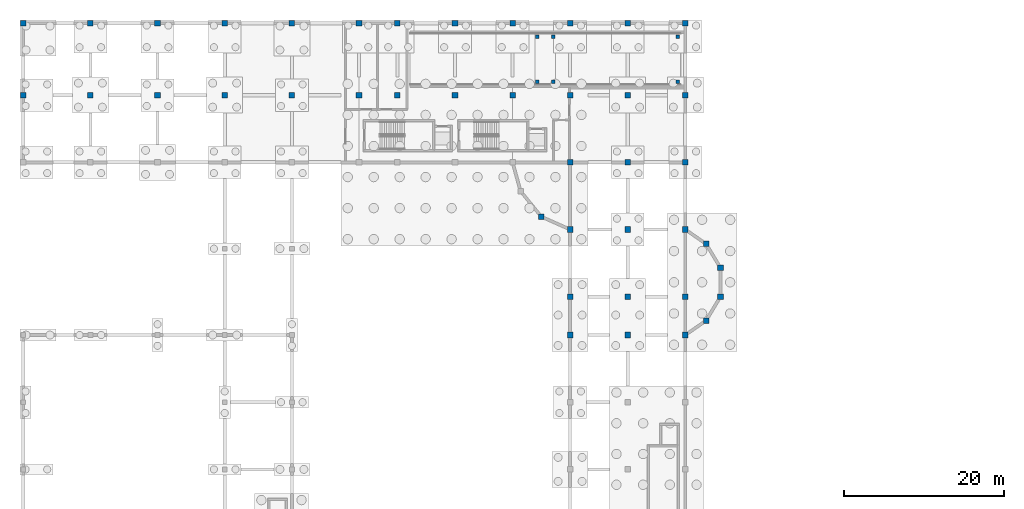
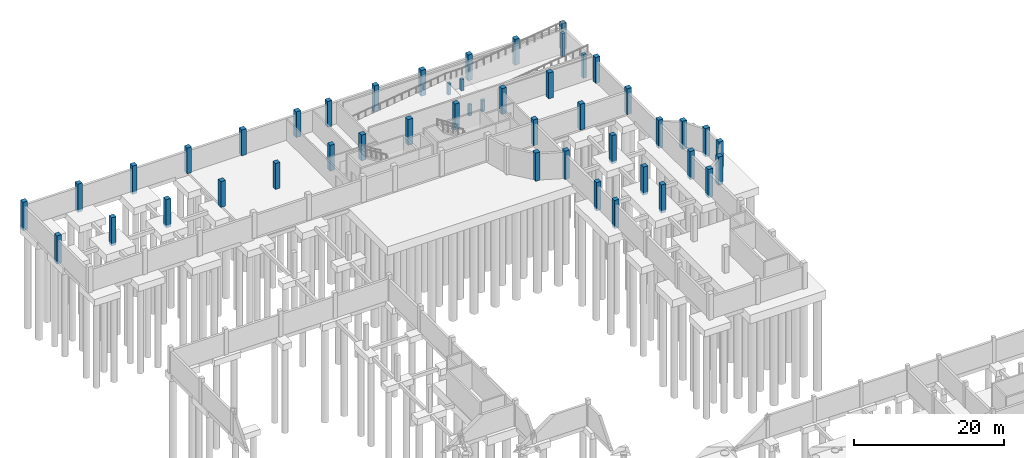
# One storey, part 12 of 22: 47 columns.
"""IFC4 building model written with IfcOpenShell, lengths in metres."""

from ifc_helpers import new_model, si_unit, direction, frame, origin, origin_2d, place, context, subcontext, project, spatial, rectangle, extrude, material, material_profile, profile_set, type_object, element, save


model = new_model("IFC4")

# Units and contexts
model_context = context("Model", 3, precision=1e-05, world=origin(), true_north=direction((0.0, 1.0)))
body_context = subcontext(model_context, "Body", "Model", "MODEL_VIEW")
ifc_project = project(units=[si_unit("LENGTHUNIT", "METRE"), si_unit("AREAUNIT", "SQUARE_METRE"), si_unit("VOLUMEUNIT", "CUBIC_METRE"), si_unit("PLANEANGLEUNIT", "RADIAN"), si_unit("MASSUNIT", "GRAM", prefix="KILO")], contexts=[model_context])

# Site, building, storey
site_placement = place(None, origin())
site = spatial("IfcSite", under=ifc_project, at=site_placement, CompositionType="ELEMENT")
building_placement = place(site_placement, origin())
building = spatial("IfcBuilding", under=site, at=building_placement, Name="Kahlenmark Community Centre", CompositionType="ELEMENT")
storey_placement = place(building_placement, frame((0.0, 0.0, -4.199951171875)))
storey = spatial("IfcBuildingStorey", under=building, at=storey_placement, Name="B1", CompositionType="ELEMENT", Elevation=-4.199951171875)

# Columns
ifc_material = material(Name="Concrete C35/45", Category="concrete")
ifc_material_profile_1 = material_profile(ifc_material, rectangle(XDim=0.449951171875, YDim=0.449951171875, at=origin_2d()), Name="RC 450x450")
ifc_profile_set_1 = profile_set([ifc_material_profile_1], Name="Concrete C35/45")
column_type_1 = type_object("IfcColumnType", Name="CT-PIER-RMP-RC450", PredefinedType="COLUMN", material=ifc_profile_set_1)
for number, where, z_axis, x_axis, name in (
    (1, (68.300048828125, 107.699951171875, 0.0), (0.0, 0.0, 1.0), (1.0, 0.0, 0.0), "Vehicle ramp landing pier 1"),
    (2, (68.300048828125, 113.300048828125, 0.0), (0.0, 0.0, 1.0), (1.0, 0.0, 0.0), "Vehicle ramp landing pier 2"),
    (3, (70.300048828125, 107.699951171875, 0.0), (0.0, 0.0, 1.0), (1.0, 0.0, 0.0), "Vehicle ramp landing pier 3"),
    (4, (70.300048828125, 113.300048828125, 0.0), (0.0, 0.0, 1.0), (1.0, 0.0, 0.0), "Vehicle ramp landing pier 4"),
):
    element("IfcColumn", number, at=place(storey_placement, frame(where, z_axis=z_axis, x_axis=x_axis)), inside=storey, type_object=column_type_1, Name=name, PredefinedType="COLUMN", context=body_context, shape_type="SweptSolid", body=[
        extrude(rectangle(XDim=0.449951171875, YDim=0.449951171875, at=origin_2d()), origin(), (0.0, 0.0, 1.0), 1.800048828125),
    ])
for number, where, z_axis, x_axis, name in (
    (5, (85.85009765625, 107.699951171875, 0.0), (0.0, 0.0, 1.0), (1.0, 0.0, 0.0), "Vehicle ramp landing pier 5"),
    (6, (85.85009765625, 113.300048828125, 0.0), (0.0, 0.0, 1.0), (1.0, 0.0, 0.0), "Vehicle ramp landing pier 6"),
):
    element("IfcColumn", number, at=place(storey_placement, frame(where, z_axis=z_axis, x_axis=x_axis)), inside=storey, type_object=column_type_1, Name=name, PredefinedType="COLUMN", context=body_context, shape_type="SweptSolid", body=[
        extrude(rectangle(XDim=0.449951171875, YDim=0.449951171875, at=origin_2d()), origin(), (0.0, 0.0, 1.0), 3.8798828125),
    ])
ifc_material_profile_2 = material_profile(ifc_material, rectangle(XDim=0.699951171875, YDim=0.699951171875, at=origin_2d()), Name="RC 700x700")
ifc_profile_set_2 = profile_set([ifc_material_profile_2], Name="Concrete C35/45")
column_type_2 = type_object("IfcColumnType", Name="CT-RC700", PredefinedType="COLUMN", material=ifc_profile_set_2)
for number, where, z_axis, x_axis, name in (
    (7, (4.0, 106.0, -0.400146484375), (0.0, 0.0, 1.0), (1.0, 0.0, 0.0), "B1 column (4.0, 106.0)"),
    (8, (4.0, 115.0, -0.400146484375), (0.0, 0.0, 1.0), (1.0, 0.0, 0.0), "B1 column (4.0, 115.0)"),
    (9, (12.39990234375, 106.0, -0.400146484375), (0.0, 0.0, 1.0), (1.0, 0.0, 0.0), "B1 column (12.4, 106.0)"),
    (10, (12.39990234375, 115.0, -0.400146484375), (0.0, 0.0, 1.0), (1.0, 0.0, 0.0), "B1 column (12.4, 115.0)"),
    (11, (20.800048828125, 106.0, -0.400146484375), (0.0, 0.0, 1.0), (1.0, 0.0, 0.0), "B1 column (20.8, 106.0)"),
    (12, (20.800048828125, 115.0, -0.400146484375), (0.0, 0.0, 1.0), (1.0, 0.0, 0.0), "B1 column (20.8, 115.0)"),
):
    element("IfcColumn", number, at=place(storey_placement, frame(where, z_axis=z_axis, x_axis=x_axis)), inside=storey, type_object=column_type_2, Name=name, PredefinedType="COLUMN", context=body_context, shape_type="SweptSolid", body=[
        extrude(rectangle(XDim=0.699951171875, YDim=0.699951171875, at=origin_2d()), origin(), (0.0, 0.0, 1.0), 4.60009765625),
    ])
for number, where, z_axis, x_axis, name in (
    (13, (29.199951171875, 106.0, 0.0), (0.0, 0.0, 1.0), (1.0, 0.0, 0.0), "B1 column (29.2, 106.0)"),
    (14, (29.199951171875, 115.0, 0.0), (0.0, 0.0, 1.0), (1.0, 0.0, 0.0), "B1 column (29.2, 115.0)"),
    (15, (37.60009765625, 106.0, 0.0), (0.0, 0.0, 1.0), (1.0, 0.0, 0.0), "B1 column (37.6, 106.0)"),
    (16, (37.60009765625, 115.0, 0.0), (0.0, 0.0, 1.0), (1.0, 0.0, 0.0), "B1 column (37.6, 115.0)"),
    (17, (46.0, 106.0, 0.0), (0.0, 0.0, 1.0), (1.0, 0.0, 0.0), "B1 column (46.0, 106.0)"),
    (18, (46.0, 115.0, 0.0), (0.0, 0.0, 1.0), (1.0, 0.0, 0.0), "B1 column (46.0, 115.0)"),
    (19, (50.800048828125, 106.0, 0.0), (0.0, 0.0, 1.0), (1.0, 0.0, 0.0), "B1 column (50.8, 106.0)"),
    (20, (50.800048828125, 115.0, 0.0), (0.0, 0.0, 1.0), (1.0, 0.0, 0.0), "B1 column (50.8, 115.0)"),
    (21, (58.0, 106.0, 0.0), (0.0, 0.0, 1.0), (1.0, 0.0, 0.0), "B1 column (58.0, 106.0)"),
    (22, (58.0, 115.0, 0.0), (0.0, 0.0, 1.0), (1.0, 0.0, 0.0), "B1 column (58.0, 115.0)"),
    (23, (65.199951171875, 106.0, 0.0), (0.0, 0.0, 1.0), (1.0, 0.0, 0.0), "B1 column (65.2, 106.0)"),
    (24, (65.199951171875, 115.0, 0.0), (0.0, 0.0, 1.0), (1.0, 0.0, 0.0), "B1 column (65.2, 115.0)"),
):
    element("IfcColumn", number, at=place(storey_placement, frame(where, z_axis=z_axis, x_axis=x_axis)), inside=storey, type_object=column_type_2, Name=name, PredefinedType="COLUMN", context=body_context, shape_type="SweptSolid", body=[
        extrude(rectangle(XDim=0.699951171875, YDim=0.699951171875, at=origin_2d()), origin(), (0.0, 0.0, 1.0), 4.199951171875),
    ])
for number, where, z_axis, x_axis, name in (
    (25, (68.800048828125, 90.800048828125, -0.400146484375), (0.0, 0.0, 1.0), (1.0, 0.0, 0.0), "B1 column (68.8, 90.8)"),
    (26, (72.39990234375, 76.0, -0.400146484375), (0.0, 0.0, 1.0), (1.0, 0.0, 0.0), "B1 column (72.4, 76.0)"),
    (27, (72.39990234375, 80.800048828125, -0.400146484375), (0.0, 0.0, 1.0), (1.0, 0.0, 0.0), "B1 column (72.4, 80.8)"),
    (28, (72.39990234375, 89.199951171875, -0.400146484375), (0.0, 0.0, 1.0), (1.0, 0.0, 0.0), "B1 column (72.4, 89.2)"),
):
    element("IfcColumn", number, at=place(storey_placement, frame(where, z_axis=z_axis, x_axis=x_axis)), inside=storey, type_object=column_type_2, Name=name, PredefinedType="COLUMN", context=body_context, shape_type="SweptSolid", body=[
        extrude(rectangle(XDim=0.699951171875, YDim=0.699951171875, at=origin_2d()), origin(), (0.0, 0.0, 1.0), 4.60009765625),
    ])
for number, where, z_axis, x_axis, name in (
    (29, (72.39990234375, 97.60009765625, 0.0), (0.0, 0.0, 1.0), (1.0, 0.0, 0.0), "B1 column (72.4, 97.6)"),
    (30, (72.39990234375, 106.0, 0.0), (0.0, 0.0, 1.0), (1.0, 0.0, 0.0), "B1 column (72.4, 106.0)"),
    (31, (72.39990234375, 115.0, 0.0), (0.0, 0.0, 1.0), (1.0, 0.0, 0.0), "B1 column (72.4, 115.0)"),
):
    element("IfcColumn", number, at=place(storey_placement, frame(where, z_axis=z_axis, x_axis=x_axis)), inside=storey, type_object=column_type_2, Name=name, PredefinedType="COLUMN", context=body_context, shape_type="SweptSolid", body=[
        extrude(rectangle(XDim=0.699951171875, YDim=0.699951171875, at=origin_2d()), origin(), (0.0, 0.0, 1.0), 4.199951171875),
    ])
for number, where, z_axis, x_axis, name in (
    (32, (79.60009765625, 76.0, -0.400146484375), (0.0, 0.0, 1.0), (1.0, 0.0, 0.0), "B1 column (79.6, 76.0)"),
    (33, (79.60009765625, 80.800048828125, -0.400146484375), (0.0, 0.0, 1.0), (1.0, 0.0, 0.0), "B1 column (79.6, 80.8)"),
    (34, (79.60009765625, 89.199951171875, -0.400146484375), (0.0, 0.0, 1.0), (1.0, 0.0, 0.0), "B1 column (79.6, 89.2)"),
):
    element("IfcColumn", number, at=place(storey_placement, frame(where, z_axis=z_axis, x_axis=x_axis)), inside=storey, type_object=column_type_2, Name=name, PredefinedType="COLUMN", context=body_context, shape_type="SweptSolid", body=[
        extrude(rectangle(XDim=0.699951171875, YDim=0.699951171875, at=origin_2d()), origin(), (0.0, 0.0, 1.0), 4.60009765625),
    ])
for number, where, z_axis, x_axis, name in (
    (35, (79.60009765625, 97.60009765625, 0.0), (0.0, 0.0, 1.0), (1.0, 0.0, 0.0), "B1 column (79.6, 97.6)"),
    (36, (79.60009765625, 106.0, 0.0), (0.0, 0.0, 1.0), (1.0, 0.0, 0.0), "B1 column (79.6, 106.0)"),
    (37, (79.60009765625, 115.0, 0.0), (0.0, 0.0, 1.0), (1.0, 0.0, 0.0), "B1 column (79.6, 115.0)"),
):
    element("IfcColumn", number, at=place(storey_placement, frame(where, z_axis=z_axis, x_axis=x_axis)), inside=storey, type_object=column_type_2, Name=name, PredefinedType="COLUMN", context=body_context, shape_type="SweptSolid", body=[
        extrude(rectangle(XDim=0.699951171875, YDim=0.699951171875, at=origin_2d()), origin(), (0.0, 0.0, 1.0), 4.199951171875),
    ])
for number, where, z_axis, x_axis, name in (
    (38, (86.800048828125, 76.0, -0.400146484375), (0.0, 0.0, 1.0), (1.0, 0.0, 0.0), "B1 column (86.8, 76.0)"),
    (39, (86.800048828125, 80.800048828125, -0.400146484375), (0.0, 0.0, 1.0), (1.0, 0.0, 0.0), "B1 column (86.8, 80.8)"),
    (40, (86.800048828125, 89.199951171875, -0.400146484375), (0.0, 0.0, 1.0), (1.0, 0.0, 0.0), "B1 column (86.8, 89.2)"),
):
    element("IfcColumn", number, at=place(storey_placement, frame(where, z_axis=z_axis, x_axis=x_axis)), inside=storey, type_object=column_type_2, Name=name, PredefinedType="COLUMN", context=body_context, shape_type="SweptSolid", body=[
        extrude(rectangle(XDim=0.699951171875, YDim=0.699951171875, at=origin_2d()), origin(), (0.0, 0.0, 1.0), 4.60009765625),
    ])
for number, where, z_axis, x_axis, name in (
    (41, (86.800048828125, 97.60009765625, 0.0), (0.0, 0.0, 1.0), (1.0, 0.0, 0.0), "B1 column (86.8, 97.6)"),
    (42, (86.800048828125, 106.0, 0.0), (0.0, 0.0, 1.0), (1.0, 0.0, 0.0), "B1 column (86.8, 106.0)"),
    (43, (86.800048828125, 115.0, 0.0), (0.0, 0.0, 1.0), (1.0, 0.0, 0.0), "B1 column (86.8, 115.0)"),
):
    element("IfcColumn", number, at=place(storey_placement, frame(where, z_axis=z_axis, x_axis=x_axis)), inside=storey, type_object=column_type_2, Name=name, PredefinedType="COLUMN", context=body_context, shape_type="SweptSolid", body=[
        extrude(rectangle(XDim=0.699951171875, YDim=0.699951171875, at=origin_2d()), origin(), (0.0, 0.0, 1.0), 4.199951171875),
    ])
for number, where, z_axis, x_axis, name in (
    (44, (89.39990234375, 77.800048828125, -0.400146484375), (0.0, 0.0, 1.0), (1.0, 0.0, 0.0), "B1 column (89.4, 77.8)"),
    (45, (89.39990234375, 87.39990234375, -0.400146484375), (0.0, 0.0, 1.0), (1.0, 0.0, 0.0), "B1 column (89.4, 87.4)"),
    (46, (91.199951171875, 80.800048828125, -0.400146484375), (0.0, 0.0, 1.0), (1.0, 0.0, 0.0), "B1 column (91.2, 80.8)"),
    (47, (91.199951171875, 84.39990234375, -0.400146484375), (0.0, 0.0, 1.0), (1.0, 0.0, 0.0), "B1 column (91.2, 84.4)"),
):
    element("IfcColumn", number, at=place(storey_placement, frame(where, z_axis=z_axis, x_axis=x_axis)), inside=storey, type_object=column_type_2, Name=name, PredefinedType="COLUMN", context=body_context, shape_type="SweptSolid", body=[
        extrude(rectangle(XDim=0.699951171875, YDim=0.699951171875, at=origin_2d()), origin(), (0.0, 0.0, 1.0), 4.60009765625),
    ])

save(model, "model.ifc")
